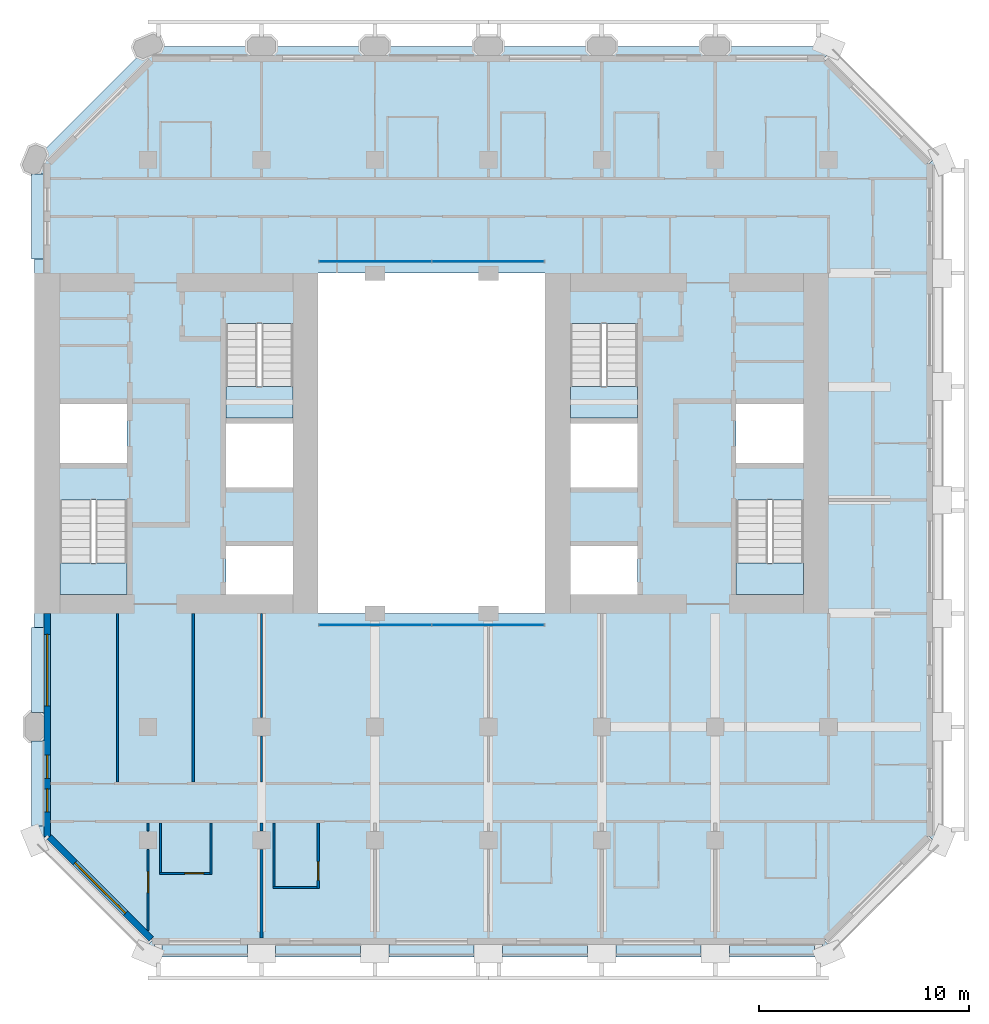
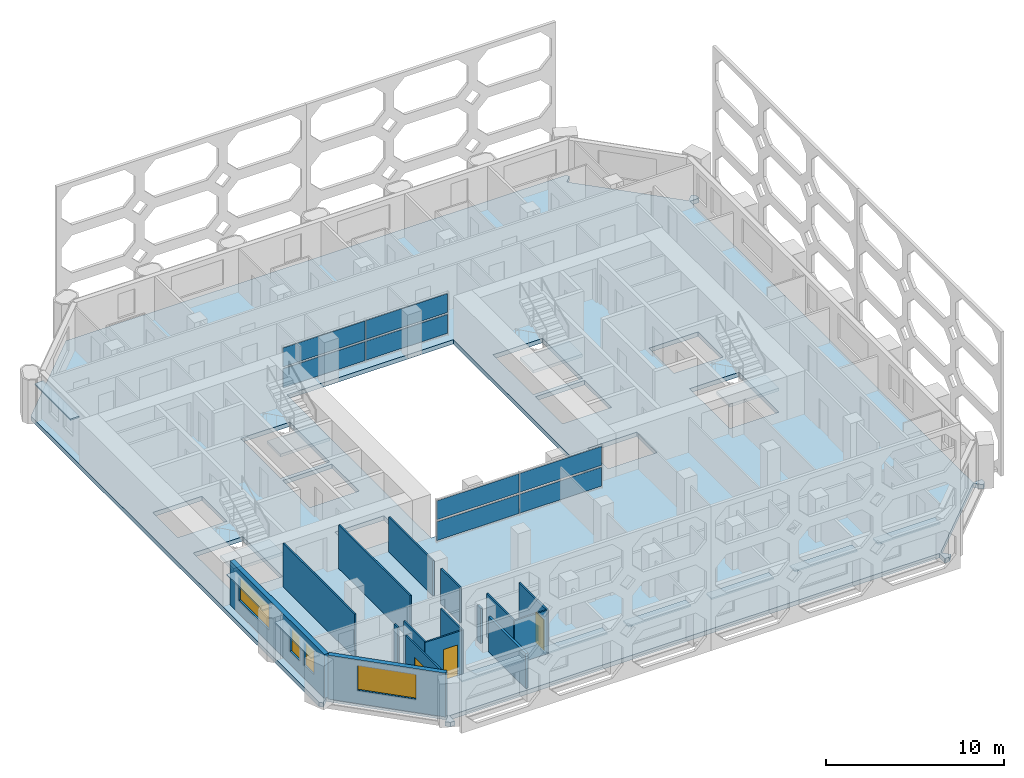
# One storey, part 5 of 14: 17 plates, 16 walls, 5 slabs, 4 windows, 3 doors, 7 openings, 6 elements without a shape of their own.
"""IFC4 building model written with IfcOpenShell, lengths in metres."""

from ifc_helpers import new_model, si_unit, direction, frame, frame_2d, origin, origin_2d, place, context, subcontext, project, spatial, polyline, rectangle, outline, extrude, material, layer, layer_set, type_object, element, fill, aggregate, save


model = new_model("IFC4")

# Units and contexts
model_context = context("Model", 3, precision=1e-05, world=origin(), true_north=direction((0.0, 1.0)))
body_context = subcontext(model_context, "Body", "Model", "MODEL_VIEW")
ifc_project = project(units=[si_unit("LENGTHUNIT", "METRE"), si_unit("AREAUNIT", "SQUARE_METRE"), si_unit("VOLUMEUNIT", "CUBIC_METRE"), si_unit("PLANEANGLEUNIT", "RADIAN"), si_unit("MASSUNIT", "GRAM", prefix="KILO")], contexts=[model_context])

# Site, building, storey
site_placement = place(None, origin())
site = spatial("IfcSite", under=ifc_project, at=site_placement, CompositionType="ELEMENT")
building_placement = place(site_placement, origin())
building = spatial("IfcBuilding", under=site, at=building_placement, Name="Tabaq Tower and Sports Hall", CompositionType="ELEMENT")
storey_placement = place(building_placement, frame((0.0, 0.0, 166.0)))
storey = spatial("IfcBuildingStorey", under=building, at=storey_placement, Name="L39", CompositionType="ELEMENT", Elevation=166.0)

# Curtain wall, plates
ifc_material_1 = material(Name="Aluminium alloy 6063-T6 framed glazing", Category="aluminium")
curtain_wall_type = type_object("IfcCurtainWallType", Name="CW1 curtain wall", PredefinedType="USERDEFINED", material=ifc_material_1)
curtain_wall_1_placement = place(storey_placement, origin())
curtain_wall_1 = element("IfcCurtainWall", 1, at=curtain_wall_1_placement, inside=storey, type_object=curtain_wall_type, Name="Atrium glazing L39 S", ObjectType="ATRIUM ENCLOSURE", PredefinedType="USERDEFINED")
ifc_material_2 = material(Name="Clear low-emissivity glass 28 mm", Category="glass")
ifc_layer_1 = layer(ifc_material_2, 0.028076171875)
ifc_layer_set_1 = layer_set([ifc_layer_1], Name="CW1 glass panel 28")
plate_type_1 = type_object("IfcPlateType", Name="CW1 glass panel 28", PredefinedType="CURTAIN_PANEL", material=ifc_layer_set_1)
plate_1_placement = place(storey_placement, frame((21.614990234375, 15.64990234375, 0.139892578125), z_axis=(0.0, 0.0, 1.0), x_axis=(1.0, 0.0, 0.0)))
plate_1 = element("IfcPlate", 2, at=plate_1_placement, type_object=plate_type_1, Name="CW1 panel 1.1", PredefinedType="CURTAIN_PANEL", context=body_context, shape_type="SweptSolid", body=[
    extrude(rectangle(XDim=5.31005859375, YDim=0.028076171875, at=origin_2d()), origin(), (0.0, 0.0, 1.0), 1.2900390625),
])
plate_2_placement = place(storey_placement, frame((21.614990234375, 15.64990234375, 1.570068359375), z_axis=(0.0, 0.0, 1.0), x_axis=(1.0, 0.0, 0.0)))
plate_2 = element("IfcPlate", 3, at=plate_2_placement, type_object=plate_type_1, Name="CW1 panel 1.2", PredefinedType="CURTAIN_PANEL", context=body_context, shape_type="SweptSolid", body=[
    extrude(rectangle(XDim=5.31005859375, YDim=0.028076171875, at=origin_2d()), origin(), (0.0, 0.0, 1.0), 1.2900390625),
])
plate_3_placement = place(storey_placement, frame((26.985107421875, 15.64990234375, 0.139892578125), z_axis=(0.0, 0.0, 1.0), x_axis=(1.0, 0.0, 0.0)))
plate_3 = element("IfcPlate", 4, at=plate_3_placement, type_object=plate_type_1, Name="CW1 panel 2.1", PredefinedType="CURTAIN_PANEL", context=body_context, shape_type="SweptSolid", body=[
    extrude(rectangle(XDim=5.31005859375, YDim=0.028076171875, at=origin_2d()), origin(), (0.0, 0.0, 1.0), 1.2900390625),
])
plate_4_placement = place(storey_placement, frame((26.985107421875, 15.64990234375, 1.570068359375), z_axis=(0.0, 0.0, 1.0), x_axis=(1.0, 0.0, 0.0)))
plate_4 = element("IfcPlate", 5, at=plate_4_placement, type_object=plate_type_1, Name="CW1 panel 2.2", PredefinedType="CURTAIN_PANEL", context=body_context, shape_type="SweptSolid", body=[
    extrude(rectangle(XDim=5.31005859375, YDim=0.028076171875, at=origin_2d()), origin(), (0.0, 0.0, 1.0), 1.2900390625),
])
aggregate(curtain_wall_1, [plate_1, plate_2, plate_3, plate_4])

curtain_wall_2_placement = place(storey_placement, origin())
curtain_wall_2 = element("IfcCurtainWall", 6, at=curtain_wall_2_placement, inside=storey, type_object=curtain_wall_type, Name="Atrium glazing L39 N", ObjectType="ATRIUM ENCLOSURE", PredefinedType="USERDEFINED")
plate_5_placement = place(storey_placement, frame((21.614990234375, 32.949951171875, 0.139892578125), z_axis=(0.0, 0.0, 1.0), x_axis=(1.0, 0.0, 0.0)))
plate_5 = element("IfcPlate", 7, at=plate_5_placement, type_object=plate_type_1, Name="CW1 panel 1.1", PredefinedType="CURTAIN_PANEL", context=body_context, shape_type="SweptSolid", body=[
    extrude(rectangle(XDim=5.31005859375, YDim=0.028076171875, at=origin_2d()), origin(), (0.0, 0.0, 1.0), 1.2900390625),
])
plate_6_placement = place(storey_placement, frame((21.614990234375, 32.949951171875, 1.570068359375), z_axis=(0.0, 0.0, 1.0), x_axis=(1.0, 0.0, 0.0)))
plate_6 = element("IfcPlate", 8, at=plate_6_placement, type_object=plate_type_1, Name="CW1 panel 1.2", PredefinedType="CURTAIN_PANEL", context=body_context, shape_type="SweptSolid", body=[
    extrude(rectangle(XDim=5.31005859375, YDim=0.028076171875, at=origin_2d()), origin(), (0.0, 0.0, 1.0), 1.2900390625),
])
plate_7_placement = place(storey_placement, frame((26.985107421875, 32.949951171875, 0.139892578125), z_axis=(0.0, 0.0, 1.0), x_axis=(1.0, 0.0, 0.0)))
plate_7 = element("IfcPlate", 9, at=plate_7_placement, type_object=plate_type_1, Name="CW1 panel 2.1", PredefinedType="CURTAIN_PANEL", context=body_context, shape_type="SweptSolid", body=[
    extrude(rectangle(XDim=5.31005859375, YDim=0.028076171875, at=origin_2d()), origin(), (0.0, 0.0, 1.0), 1.2900390625),
])
plate_8_placement = place(storey_placement, frame((26.985107421875, 32.949951171875, 1.570068359375), z_axis=(0.0, 0.0, 1.0), x_axis=(1.0, 0.0, 0.0)))
plate_8 = element("IfcPlate", 10, at=plate_8_placement, type_object=plate_type_1, Name="CW1 panel 2.2", PredefinedType="CURTAIN_PANEL", context=body_context, shape_type="SweptSolid", body=[
    extrude(rectangle(XDim=5.31005859375, YDim=0.028076171875, at=origin_2d()), origin(), (0.0, 0.0, 1.0), 1.2900390625),
])
aggregate(curtain_wall_2, [plate_5, plate_6, plate_7, plate_8])

# Stair, slab
ifc_material_3 = material(Name="Concrete C40/50", Category="concrete")
stair_type = type_object("IfcStairType", Name="Exit stair", PredefinedType="HALF_TURN_STAIR", material=ifc_material_3)
stair_1_placement = place(storey_placement, origin())
stair_1 = element("IfcStair", 11, at=stair_1_placement, inside=storey, type_object=stair_type, Name="L39 Exit stair ST1", PredefinedType="HALF_TURN_STAIR")
ifc_material_4 = material(Name="Concrete C40/50", Category="concrete")
ifc_layer_2 = layer(ifc_material_4, 0.199951171875)
ifc_layer_set_2 = layer_set([ifc_layer_2], Name="Exit stair landing")
slab_type_1 = type_object("IfcSlabType", Name="Exit stair landing", PredefinedType="LANDING", material=ifc_layer_set_2)
slab_1_placement = place(storey_placement, frame((0.0, 0.0, 1.449951171875)))
slab_1 = element("IfcSlab", 12, at=slab_1_placement, type_object=slab_type_1, Name="ST1 landing 1", PredefinedType="LANDING", context=body_context, shape_type="SweptSolid", body=[
    extrude(outline(polyline([(6.60009765625, 18.60009765625), (6.60009765625, 17.10009765625), (9.800048828125, 17.10009765625), (9.800048828125, 18.60009765625), (6.60009765625, 18.60009765625)])), origin(), (0.0, 0.0, 1.0), 0.199951171875),
])
aggregate(stair_1, [slab_1])

stair_2_placement = place(storey_placement, origin())
stair_2 = element("IfcStair", 13, at=stair_2_placement, inside=storey, type_object=stair_type, Name="L39 Exit stair ST2", PredefinedType="HALF_TURN_STAIR")
slab_2_placement = place(storey_placement, frame((0.0, 0.0, 1.449951171875)))
slab_2 = element("IfcSlab", 14, at=slab_2_placement, type_object=slab_type_1, Name="ST2 landing 1", PredefinedType="LANDING", context=body_context, shape_type="SweptSolid", body=[
    extrude(outline(polyline([(14.5, 27.0), (14.5, 25.5), (17.699951171875, 25.5), (17.699951171875, 27.0), (14.5, 27.0)])), origin(), (0.0, 0.0, 1.0), 0.199951171875),
])
aggregate(stair_2, [slab_2])

stair_3_placement = place(storey_placement, origin())
stair_3 = element("IfcStair", 15, at=stair_3_placement, inside=storey, type_object=stair_type, Name="L39 Exit stair ST3", PredefinedType="HALF_TURN_STAIR")
slab_3_placement = place(storey_placement, frame((0.0, 0.0, 1.449951171875)))
slab_3 = element("IfcSlab", 16, at=slab_3_placement, type_object=slab_type_1, Name="ST3 landing 1", PredefinedType="LANDING", context=body_context, shape_type="SweptSolid", body=[
    extrude(outline(polyline([(38.800048828125, 18.60009765625), (38.800048828125, 17.10009765625), (42.0, 17.10009765625), (42.0, 18.60009765625), (38.800048828125, 18.60009765625)])), origin(), (0.0, 0.0, 1.0), 0.199951171875),
])
aggregate(stair_3, [slab_3])

stair_4_placement = place(storey_placement, origin())
stair_4 = element("IfcStair", 17, at=stair_4_placement, inside=storey, type_object=stair_type, Name="L39 Exit stair ST4", PredefinedType="HALF_TURN_STAIR")
slab_4_placement = place(storey_placement, frame((0.0, 0.0, 1.449951171875)))
slab_4 = element("IfcSlab", 18, at=slab_4_placement, type_object=slab_type_1, Name="ST4 landing 1", PredefinedType="LANDING", context=body_context, shape_type="SweptSolid", body=[
    extrude(outline(polyline([(30.89990234375, 27.0), (30.89990234375, 25.5), (34.10009765625, 25.5), (34.10009765625, 27.0), (30.89990234375, 27.0)])), origin(), (0.0, 0.0, 1.0), 0.199951171875),
])
aggregate(stair_4, [slab_4])

# Slab
ifc_material_5 = material(Name="Concrete C40/50", Category="concrete")
ifc_layer_3 = layer(ifc_material_5, 0.300048828125)
ifc_layer_set_3 = layer_set([ifc_layer_3], Name="PT FLOOR SLAB 300 C40/50")
slab_type_2 = type_object("IfcSlabType", Name="PT FLOOR SLAB 300 C40/50", PredefinedType="FLOOR", material=ifc_layer_set_3)
slab_5_placement = place(storey_placement, frame((0.0, 0.0, -0.300048828125)))
element("IfcSlab", 19, at=slab_5_placement, inside=storey, type_object=slab_type_2, Name="Floor Slab L39", PredefinedType="FLOOR", context=body_context, shape_type="SweptSolid", body=[
    extrude(outline(polyline([(5.39990234375, 37.800048828125), (5.39990234375, 5.39990234375), (5.57666015625, 5.22314453125), (5.930419921875, 5.57666015625), (6.0009765625, 5.6474609375), (11.01318359375, 0.63525390625), (10.5888671875, 0.211181640625), (10.800048828125, 0.0), (11.0986328125, 0.0), (11.0986328125, 0.5), (11.0986328125, 0.60009765625), (42.9013671875, 0.60009765625), (42.9013671875, 0.5), (42.9013671875, 0.0), (43.199951171875, 0.0), (43.4111328125, 0.211181640625), (42.98681640625, 0.63525390625), (47.964599609375, 5.61328125), (48.035400390625, 5.54248046875), (48.388916015625, 5.18896484375), (48.60009765625, 5.39990234375), (48.60009765625, 5.698486328125), (48.10009765625, 5.698486328125), (48.0, 5.698486328125), (48.0, 37.50146484375), (48.10009765625, 37.50146484375), (48.60009765625, 37.50146484375), (48.60009765625, 37.800048828125), (48.388916015625, 38.010986328125), (48.035400390625, 37.657470703125), (47.964599609375, 37.5869140625), (42.952392578125, 42.598876953125), (43.023193359375, 42.669677734375), (43.376708984375, 43.023193359375), (43.199951171875, 43.199951171875), (10.800048828125, 43.199951171875), (5.39990234375, 37.800048828125)]), holes=[polyline([(14.5, 19.39990234375), (17.699951171875, 19.39990234375), (17.699951171875, 17.10009765625), (14.5, 17.10009765625), (14.5, 19.39990234375)]), polyline([(6.60009765625, 21.599365234375), (9.800048828125, 21.599365234375), (9.800048828125, 17.10009765625), (6.60009765625, 17.10009765625), (6.60009765625, 21.599365234375)]), polyline([(14.5, 25.25), (17.699951171875, 25.25), (17.699951171875, 22.199951171875), (14.5, 22.199951171875), (14.5, 25.25)]), polyline([(18.89990234375, 32.39990234375), (29.699951171875, 32.39990234375), (29.699951171875, 16.199951171875), (18.89990234375, 16.199951171875), (18.89990234375, 32.39990234375)]), polyline([(9.800048828125, 26.175048828125), (9.800048828125, 23.35009765625), (6.60009765625, 23.35009765625), (6.60009765625, 26.175048828125), (9.800048828125, 26.175048828125)]), polyline([(14.5, 29.99951171875), (17.699951171875, 29.99951171875), (17.699951171875, 25.5), (14.5, 25.5), (14.5, 29.99951171875)]), polyline([(34.10009765625, 19.39990234375), (34.10009765625, 17.10009765625), (30.89990234375, 17.10009765625), (30.89990234375, 19.39990234375), (34.10009765625, 19.39990234375)]), polyline([(42.0, 21.599365234375), (42.0, 17.10009765625), (38.800048828125, 17.10009765625), (38.800048828125, 21.599365234375), (42.0, 21.599365234375)]), polyline([(30.89990234375, 25.25), (34.10009765625, 25.25), (34.10009765625, 22.199951171875), (30.89990234375, 22.199951171875), (30.89990234375, 25.25)]), polyline([(42.0, 26.175048828125), (42.0, 23.35009765625), (38.800048828125, 23.35009765625), (38.800048828125, 26.175048828125), (42.0, 26.175048828125)]), polyline([(34.10009765625, 29.99951171875), (34.10009765625, 25.5), (30.89990234375, 25.5), (30.89990234375, 29.99951171875), (34.10009765625, 29.99951171875)])]), origin(), (0.0, 0.0, 1.0), 0.300048828125),
])

# Plates
ifc_material_6 = material(Name="White precast concrete C60/75 blade", Category="concrete")
ifc_layer_4 = layer(ifc_material_6, 0.10009765625)
ifc_layer_set_4 = layer_set([ifc_layer_4], Name="White precast concrete C60/75 sunshade 100")
plate_type_2 = type_object("IfcPlateType", Name="White precast concrete C60/75 sunshade 100", PredefinedType="USERDEFINED", material=ifc_layer_set_4)
for number, where, z_axis, x_axis, name in (
    (20, (13.5, 0.14990234375, 2.599853515625), (0.0, 0.0, 1.0), (1.0, 0.0, 0.0), "Sunshade L39 S"),
    (21, (18.89990234375, 0.14990234375, 2.599853515625), (0.0, 0.0, 1.0), (1.0, 0.0, 0.0), "Sunshade L39 S"),
    (22, (24.300048828125, 0.14990234375, 2.599853515625), (0.0, 0.0, 1.0), (1.0, 0.0, 0.0), "Sunshade L39 S"),
    (23, (29.699951171875, 0.14990234375, 2.599853515625), (0.0, 0.0, 1.0), (1.0, 0.0, 0.0), "Sunshade L39 S"),
    (24, (35.10009765625, 0.14990234375, 2.599853515625), (0.0, 0.0, 1.0), (1.0, 0.0, 0.0), "Sunshade L39 S"),
    (25, (40.5, 0.14990234375, 2.599853515625), (0.0, 0.0, 1.0), (1.0, 0.0, 0.0), "Sunshade L39 S"),
    (26, (5.550048828125, 35.10009765625, 2.599853515625), (0.0, 0.0, 1.0), (0.0, -1.0, 0.0), "Sunshade L39 W"),
    (27, (5.550048828125, 13.5, 2.599853515625), (0.0, 0.0, 1.0), (0.0, -1.0, 0.0), "Sunshade L39 W"),
    (28, (5.550048828125, 8.10009765625, 2.599853515625), (0.0, 0.0, 1.0), (0.0, -1.0, 0.0), "Sunshade L39 W"),
):
    element("IfcPlate", number, at=place(storey_placement, frame(where, z_axis=z_axis, x_axis=x_axis)), inside=storey, type_object=plate_type_2, Name=name, ObjectType="SUNSHADE", PredefinedType="USERDEFINED", context=body_context, shape_type="SweptSolid", body=[
        extrude(rectangle(XDim=4.050048828125, YDim=0.60009765625, at=origin_2d()), origin(), (0.0, 0.0, 1.0), 0.10009765625),
    ])

# Wall
ifc_material_7 = material(Name="Gypsum board on steel studs", Category="steel")
ifc_layer_5 = layer(ifc_material_7, 0.10009765625)
ifc_layer_set_5 = layer_set([ifc_layer_5], Name="Partition 100 Gypsum board")
wall_type_1 = type_object("IfcWallType", Name="Partition 100 Gypsum board", PredefinedType="PARTITIONING", material=ifc_layer_set_5)
wall_1_placement = place(storey_placement, frame((13.800048828125, 6.22509765625, 0.0), z_axis=(0.0, 0.0, 1.0), x_axis=(0.0, -1.0, 0.0)))
element("IfcWall", 29, at=wall_1_placement, inside=storey, type_object=wall_type_1, Name="Partition wall L39", PredefinedType="PARTITIONING", context=body_context, shape_type="SweptSolid", body=[
    extrude(rectangle(XDim=2.4501953125, YDim=0.10009765625, at=frame_2d((1.22509765625, 0.0))), origin(), (0.0, 0.0, 1.0), 3.0),
])

# Wall, opening, door
wall_2_placement = place(storey_placement, frame((13.75, 3.824951171875, 0.0), z_axis=(0.0, 0.0, 1.0), x_axis=(-1.0, 0.0, 0.0)))
wall_2 = element("IfcWall", 30, at=wall_2_placement, inside=storey, type_object=wall_type_1, Name="Partition wall L39", PredefinedType="PARTITIONING", context=body_context, shape_type="SweptSolid", body=[
    extrude(rectangle(XDim=2.39990234375, YDim=0.10009765625, at=frame_2d((1.199951171875, 0.0))), origin(), (0.0, 0.0, 1.0), 3.0),
])
opening_1_placement = place(wall_2_placement, frame((0.300048828125, 0.0, 0.0)))
opening_1 = element("IfcOpeningElement", 31, at=opening_1_placement, cuts=wall_2, Name="Opening L39-016", PredefinedType="OPENING", context=body_context, shape_type="SweptSolid", body=[
    extrude(rectangle(XDim=0.89990234375, YDim=2.10009765625, at=frame_2d((0.449951171875, 1.050048828125))), frame((0.0, 0.050048828125, 0.0), z_axis=(0.0, -1.0, 0.0), x_axis=(1.0, 0.0, 0.0)), (0.0, 0.0, 1.0), 0.10009765625),
])
ifc_material_8 = material(Name="Timber leaf in steel frame", Category="steel")
door_type_1 = type_object("IfcDoorType", Name="Internal door 900 right hand", OperationType="SINGLE_SWING_RIGHT", PredefinedType="DOOR", material=ifc_material_8)
door_1_placement = place(opening_1_placement, origin())
door_1 = element("IfcDoor", 32, at=door_1_placement, inside=storey, type_object=door_type_1, Name="Internal door L39-016", OperationType="SINGLE_SWING_RIGHT", OverallHeight=2.10009765625, OverallWidth=0.89990234375, PredefinedType="DOOR", context=body_context, shape_type="SweptSolid", body=[
    extrude(rectangle(XDim=0.89990234375, YDim=2.10009765625, at=frame_2d((0.449951171875, 1.050048828125))), frame((0.0, 0.02490234375, 0.0), z_axis=(0.0, -1.0, 0.0), x_axis=(1.0, 0.0, 0.0)), (0.0, 0.0, 1.0), 0.050048828125),
])
fill(opening_1, door_1)

# Walls
wall_3_placement = place(storey_placement, frame((11.39990234375, 3.875, 0.0), z_axis=(0.0, 0.0, 1.0), x_axis=(0.0, 1.0, 0.0)))
element("IfcWall", 33, at=wall_3_placement, inside=storey, type_object=wall_type_1, Name="Partition wall L39", PredefinedType="PARTITIONING", context=body_context, shape_type="SweptSolid", body=[
    extrude(rectangle(XDim=2.35009765625, YDim=0.10009765625, at=frame_2d((1.175048828125, 0.0))), origin(), (0.0, 0.0, 1.0), 3.0),
])
wall_4_placement = place(storey_placement, frame((10.800048828125, 6.22509765625, 0.0), z_axis=(0.0, 0.0, 1.0), x_axis=(0.0, -1.0, 0.0)))
element("IfcWall", 34, at=wall_4_placement, inside=storey, type_object=wall_type_1, Name="Partition wall L39", PredefinedType="PARTITIONING", context=body_context, shape_type="SweptSolid", body=[
    extrude(rectangle(XDim=0.380126953125, YDim=0.10009765625, at=frame_2d((0.18994140625, 0.0))), origin(), (0.0, 0.0, 1.0), 3.0),
])

# Wall, opening, door
wall_5_placement = place(storey_placement, frame((10.800048828125, 4.955078125, 0.0), z_axis=(0.0, 0.0, 1.0), x_axis=(0.0, -1.0, 0.0)))
wall_5 = element("IfcWall", 35, at=wall_5_placement, inside=storey, type_object=wall_type_1, Name="Partition wall L39", PredefinedType="PARTITIONING", context=body_context, shape_type="SweptSolid", body=[
    extrude(rectangle(XDim=3.843017578125, YDim=0.10009765625, at=frame_2d((1.92138671875, 0.0))), origin(), (0.0, 0.0, 1.0), 3.0),
])
opening_2_placement = place(wall_5_placement, frame((1.04248046875, 0.0, 0.0)))
opening_2 = element("IfcOpeningElement", 36, at=opening_2_placement, cuts=wall_5, Name="Opening L39-040", PredefinedType="OPENING", context=body_context, shape_type="SweptSolid", body=[
    extrude(rectangle(XDim=1.0, YDim=2.10009765625, at=frame_2d((0.5, 1.050048828125))), frame((0.0, 0.050048828125, 0.0), z_axis=(0.0, -1.0, 0.0), x_axis=(1.0, 0.0, 0.0)), (0.0, 0.0, 1.0), 0.10009765625),
])
ifc_material_9 = material(Name="Timber leaf in steel frame", Category="steel")
door_type_2 = type_object("IfcDoorType", Name="Internal door 1000 right hand", OperationType="SINGLE_SWING_RIGHT", PredefinedType="DOOR", material=ifc_material_9)
door_2_placement = place(opening_2_placement, origin())
door_2 = element("IfcDoor", 37, at=door_2_placement, inside=storey, type_object=door_type_2, Name="Internal door L39-040", OperationType="SINGLE_SWING_RIGHT", OverallHeight=2.10009765625, OverallWidth=1.0, PredefinedType="DOOR", context=body_context, shape_type="SweptSolid", body=[
    extrude(rectangle(XDim=1.0, YDim=2.10009765625, at=frame_2d((0.5, 1.050048828125))), frame((0.0, 0.02490234375, 0.0), z_axis=(0.0, -1.0, 0.0), x_axis=(1.0, 0.0, 0.0)), (0.0, 0.0, 1.0), 0.050048828125),
])
fill(opening_2, door_2)

wall_6_placement = place(storey_placement, frame((18.89990234375, 6.22509765625, 0.0), z_axis=(0.0, 0.0, 1.0), x_axis=(0.0, -1.0, 0.0)))
wall_6 = element("IfcWall", 38, at=wall_6_placement, inside=storey, type_object=wall_type_1, Name="Partition wall L39", PredefinedType="PARTITIONING", context=body_context, shape_type="SweptSolid", body=[
    extrude(rectangle(XDim=3.125, YDim=0.10009765625, at=frame_2d((1.5625, 0.0))), origin(), (0.0, 0.0, 1.0), 3.0),
])
opening_3_placement = place(wall_6_placement, frame((1.83740234375, 0.0, 0.0)))
opening_3 = element("IfcOpeningElement", 39, at=opening_3_placement, cuts=wall_6, Name="Opening L39-017", PredefinedType="OPENING", context=body_context, shape_type="SweptSolid", body=[
    extrude(rectangle(XDim=0.89990234375, YDim=2.10009765625, at=frame_2d((0.449951171875, 1.050048828125))), frame((0.0, 0.050048828125, 0.0), z_axis=(0.0, -1.0, 0.0), x_axis=(1.0, 0.0, 0.0)), (0.0, 0.0, 1.0), 0.10009765625),
])
door_3_placement = place(opening_3_placement, origin())
door_3 = element("IfcDoor", 40, at=door_3_placement, inside=storey, type_object=door_type_1, Name="Internal door L39-017", OperationType="SINGLE_SWING_RIGHT", OverallHeight=2.10009765625, OverallWidth=0.89990234375, PredefinedType="DOOR", context=body_context, shape_type="SweptSolid", body=[
    extrude(rectangle(XDim=0.89990234375, YDim=2.10009765625, at=frame_2d((0.449951171875, 1.050048828125))), frame((0.0, 0.02490234375, 0.0), z_axis=(0.0, -1.0, 0.0), x_axis=(1.0, 0.0, 0.0)), (0.0, 0.0, 1.0), 0.050048828125),
])
fill(opening_3, door_3)

# Walls
wall_7_placement = place(storey_placement, frame((18.85009765625, 3.14990234375, 0.0), z_axis=(0.0, 0.0, 1.0), x_axis=(-1.0, 0.0, 0.0)))
element("IfcWall", 41, at=wall_7_placement, inside=storey, type_object=wall_type_1, Name="Partition wall L39", PredefinedType="PARTITIONING", context=body_context, shape_type="SweptSolid", body=[
    extrude(rectangle(XDim=2.10009765625, YDim=0.10009765625, at=frame_2d((1.050048828125, 0.0))), origin(), (0.0, 0.0, 1.0), 3.0),
])
wall_8_placement = place(storey_placement, frame((16.800048828125, 3.199951171875, 0.0), z_axis=(0.0, 0.0, 1.0), x_axis=(0.0, 1.0, 0.0)))
element("IfcWall", 42, at=wall_8_placement, inside=storey, type_object=wall_type_1, Name="Partition wall L39", PredefinedType="PARTITIONING", context=body_context, shape_type="SweptSolid", body=[
    extrude(rectangle(XDim=3.025146484375, YDim=0.10009765625, at=frame_2d((1.5126953125, 0.0))), origin(), (0.0, 0.0, 1.0), 3.0),
])
wall_9_placement = place(storey_placement, frame((16.199951171875, 16.199951171875, 0.0), z_axis=(0.0, 0.0, 1.0), x_axis=(0.0, -1.0, 0.0)))
element("IfcWall", 43, at=wall_9_placement, inside=storey, type_object=wall_type_1, Name="Partition wall L39", PredefinedType="PARTITIONING", context=body_context, shape_type="SweptSolid", body=[
    extrude(rectangle(XDim=4.954833984375, YDim=0.10009765625, at=frame_2d((2.4775390625, 0.0))), origin(), (0.0, 0.0, 1.0), 2.39990234375),
])
wall_10_placement = place(storey_placement, frame((16.199951171875, 10.35498046875, 0.0), z_axis=(0.0, 0.0, 1.0), x_axis=(0.0, -1.0, 0.0)))
element("IfcWall", 44, at=wall_10_placement, inside=storey, type_object=wall_type_1, Name="Partition wall L39", PredefinedType="PARTITIONING", context=body_context, shape_type="SweptSolid", body=[
    extrude(rectangle(XDim=2.179931640625, YDim=0.10009765625, at=frame_2d((1.08984375, 0.0))), origin(), (0.0, 0.0, 1.0), 2.39990234375),
])
for number, where, z_axis, x_axis, name in (
    (45, (9.35009765625, 16.199951171875, 0.0), (0.0, 0.0, 1.0), (0.0, -1.0, 0.0), "Partition wall L39"),
    (46, (12.949951171875, 8.175048828125, 0.0), (0.0, 0.0, 1.0), (0.0, 1.0, 0.0), "Partition wall L39"),
):
    element("IfcWall", number, at=place(storey_placement, frame(where, z_axis=z_axis, x_axis=x_axis)), inside=storey, type_object=wall_type_1, Name=name, PredefinedType="PARTITIONING", context=body_context, shape_type="SweptSolid", body=[
        extrude(rectangle(XDim=8.02490234375, YDim=0.10009765625, at=frame_2d((4.012451171875, 0.0))), origin(), (0.0, 0.0, 1.0), 3.0),
    ])
ifc_material_10 = material(Name="Blockwork", Category="masonry")
ifc_layer_6 = layer(ifc_material_10, 0.14990234375)
ifc_layer_set_6 = layer_set([ifc_layer_6], Name="Separating wall 150 Blockwork")
wall_type_2 = type_object("IfcWallType", Name="Separating wall 150 Blockwork", PredefinedType="PARTITIONING", material=ifc_layer_set_6)
wall_11_placement = place(storey_placement, frame((16.199951171875, 0.7509765625, 0.0), z_axis=(0.0, 0.0, 1.0), x_axis=(0.0, 1.0, 0.0)))
element("IfcWall", 47, at=wall_11_placement, inside=storey, type_object=wall_type_2, Name="Separating wall L39", PredefinedType="PARTITIONING", context=body_context, shape_type="SweptSolid", body=[
    extrude(rectangle(XDim=4.2041015625, YDim=0.14990234375, at=frame_2d((2.10205078125, 0.0))), origin(), (0.0, 0.0, 1.0), 2.39990234375),
])
wall_12_placement = place(storey_placement, frame((16.199951171875, 5.844970703125, 0.0), z_axis=(0.0, 0.0, 1.0), x_axis=(0.0, 1.0, 0.0)))
element("IfcWall", 48, at=wall_12_placement, inside=storey, type_object=wall_type_2, Name="Separating wall L39", PredefinedType="PARTITIONING", context=body_context, shape_type="SweptSolid", body=[
    extrude(rectangle(XDim=0.380126953125, YDim=0.14990234375, at=frame_2d((0.18994140625, 0.0))), origin(), (0.0, 0.0, 1.0), 2.39990234375),
])

# Wall, openings, windows
ifc_material_11 = material(Name="White precast concrete C60/75", Category="concrete")
ifc_layer_7 = layer(ifc_material_11, 0.300048828125)
ifc_layer_set_7 = layer_set([ifc_layer_7], Name="White precast concrete C60/75 external wall 300")
wall_type_3 = type_object("IfcWallType", Name="White precast concrete C60/75 external wall 300", PredefinedType="SOLIDWALL", material=ifc_layer_set_7)
wall_13_placement = place(storey_placement, frame((6.0, 16.199951171875, 0.0), z_axis=(0.0, 0.0, 1.0), x_axis=(0.0, -1.0, 0.0)))
wall_13 = element("IfcWall", 49, at=wall_13_placement, inside=storey, type_object=wall_type_3, Name="External Wall L39 W", PredefinedType="SOLIDWALL", context=body_context, shape_type="SweptSolid", body=[
    extrude(rectangle(XDim=10.613525390625, YDim=0.300048828125, at=frame_2d((5.306640625, 0.0))), origin(), (0.0, 0.0, 1.0), 3.0),
])
opening_4_placement = place(wall_13_placement, frame((1.0, 0.0, 0.89990234375)))
opening_4 = element("IfcOpeningElement", 50, at=opening_4_placement, cuts=wall_13, Name="Opening W1A", PredefinedType="OPENING", context=body_context, shape_type="SweptSolid", body=[
    extrude(rectangle(XDim=3.39990234375, YDim=1.699951171875, at=frame_2d((1.699951171875, 0.85009765625))), frame((0.0, 0.16015625, 0.0), z_axis=(0.0, -1.0, 0.0), x_axis=(1.0, 0.0, 0.0)), (0.0, 0.0, 1.0), 0.320068359375),
])
opening_5_placement = place(wall_13_placement, frame((6.75, 0.0, 0.89990234375)))
opening_5 = element("IfcOpeningElement", 51, at=opening_5_placement, cuts=wall_13, Name="Opening W1B", PredefinedType="OPENING", context=body_context, shape_type="SweptSolid", body=[
    extrude(rectangle(XDim=1.10009765625, YDim=1.699951171875, at=frame_2d((0.550048828125, 0.85009765625))), frame((0.0, 0.16015625, 0.0), z_axis=(0.0, -1.0, 0.0), x_axis=(1.0, 0.0, 0.0)), (0.0, 0.0, 1.0), 0.320068359375),
])
opening_6_placement = place(wall_13_placement, frame((8.35009765625, 0.0, 0.89990234375)))
opening_6 = element("IfcOpeningElement", 52, at=opening_6_placement, cuts=wall_13, Name="Opening W1B", PredefinedType="OPENING", context=body_context, shape_type="SweptSolid", body=[
    extrude(rectangle(XDim=1.10009765625, YDim=1.699951171875, at=frame_2d((0.550048828125, 0.85009765625))), frame((0.0, 0.16015625, 0.0), z_axis=(0.0, -1.0, 0.0), x_axis=(1.0, 0.0, 0.0)), (0.0, 0.0, 1.0), 0.320068359375),
])
ifc_material_12 = material(Name="Aluminium framed clear glazing", Category="aluminium")
window_type_1 = type_object("IfcWindowType", Name="Window W1A", PartitioningType="SINGLE_PANEL", PredefinedType="WINDOW", material=ifc_material_12)
window_1_placement = place(opening_4_placement, origin())
window_1 = element("IfcWindow", 53, at=window_1_placement, inside=storey, type_object=window_type_1, Name="Window W1A L39", OverallHeight=1.699951171875, OverallWidth=3.39990234375, PartitioningType="SINGLE_PANEL", PredefinedType="WINDOW", context=body_context, shape_type="SweptSolid", body=[
    extrude(rectangle(XDim=3.39990234375, YDim=1.699951171875, at=frame_2d((1.699951171875, 0.85009765625))), frame((0.0, 0.030029296875, 0.0), z_axis=(0.0, -1.0, 0.0), x_axis=(1.0, 0.0, 0.0)), (0.0, 0.0, 1.0), 0.06005859375),
])
fill(opening_4, window_1)
ifc_material_13 = material(Name="Aluminium framed clear glazing", Category="aluminium")
window_type_2 = type_object("IfcWindowType", Name="Window W1B", PartitioningType="SINGLE_PANEL", PredefinedType="WINDOW", material=ifc_material_13)
window_2_placement = place(opening_5_placement, origin())
window_2 = element("IfcWindow", 54, at=window_2_placement, inside=storey, type_object=window_type_2, Name="Window W1B L39", OverallHeight=1.699951171875, OverallWidth=1.10009765625, PartitioningType="SINGLE_PANEL", PredefinedType="WINDOW", context=body_context, shape_type="SweptSolid", body=[
    extrude(rectangle(XDim=1.10009765625, YDim=1.699951171875, at=frame_2d((0.550048828125, 0.85009765625))), frame((0.0, 0.030029296875, 0.0), z_axis=(0.0, -1.0, 0.0), x_axis=(1.0, 0.0, 0.0)), (0.0, 0.0, 1.0), 0.06005859375),
])
fill(opening_5, window_2)
window_3_placement = place(opening_6_placement, origin())
window_3 = element("IfcWindow", 55, at=window_3_placement, inside=storey, type_object=window_type_2, Name="Window W1B L39", OverallHeight=1.699951171875, OverallWidth=1.10009765625, PartitioningType="SINGLE_PANEL", PredefinedType="WINDOW", context=body_context, shape_type="SweptSolid", body=[
    extrude(rectangle(XDim=1.10009765625, YDim=1.699951171875, at=frame_2d((0.550048828125, 0.85009765625))), frame((0.0, 0.030029296875, 0.0), z_axis=(0.0, -1.0, 0.0), x_axis=(1.0, 0.0, 0.0)), (0.0, 0.0, 1.0), 0.06005859375),
])
fill(opening_6, window_3)

# Wall, opening, window
wall_14_placement = place(storey_placement, frame((6.098876953125, 5.549560546875, 0.0), z_axis=(0.0, 0.0, 1.0), x_axis=(0.707106781187, -0.707106781187, 0.0)))
wall_14 = element("IfcWall", 56, at=wall_14_placement, inside=storey, type_object=wall_type_3, Name="External Wall L39 SW", PredefinedType="SOLIDWALL", context=body_context, shape_type="SweptSolid", body=[
    extrude(rectangle(XDim=6.85986328125, YDim=0.300048828125, at=frame_2d((3.429931640625, 0.0))), origin(), (0.0, 0.0, 1.0), 3.0),
])
opening_7_placement = place(wall_14_placement, frame((1.729736328125, 0.0, 0.89990234375)))
opening_7 = element("IfcOpeningElement", 57, at=opening_7_placement, cuts=wall_14, Name="Opening W1A", PredefinedType="OPENING", context=body_context, shape_type="SweptSolid", body=[
    extrude(rectangle(XDim=3.39990234375, YDim=1.699951171875, at=frame_2d((1.699951171875, 0.85009765625))), frame((0.0, 0.16015625, 0.0), z_axis=(0.0, -1.0, 0.0), x_axis=(1.0, 0.0, 0.0)), (0.0, 0.0, 1.0), 0.320068359375),
])
window_4_placement = place(opening_7_placement, origin())
window_4 = element("IfcWindow", 58, at=window_4_placement, inside=storey, type_object=window_type_1, Name="Window W1A L39", OverallHeight=1.699951171875, OverallWidth=3.39990234375, PartitioningType="SINGLE_PANEL", PredefinedType="WINDOW", context=body_context, shape_type="SweptSolid", body=[
    extrude(rectangle(XDim=3.39990234375, YDim=1.699951171875, at=frame_2d((1.699951171875, 0.85009765625))), frame((0.0, 0.030029296875, 0.0), z_axis=(0.0, -1.0, 0.0), x_axis=(1.0, 0.0, 0.0)), (0.0, 0.0, 1.0), 0.06005859375),
])
fill(opening_7, window_4)

save(model, "model.ifc")
